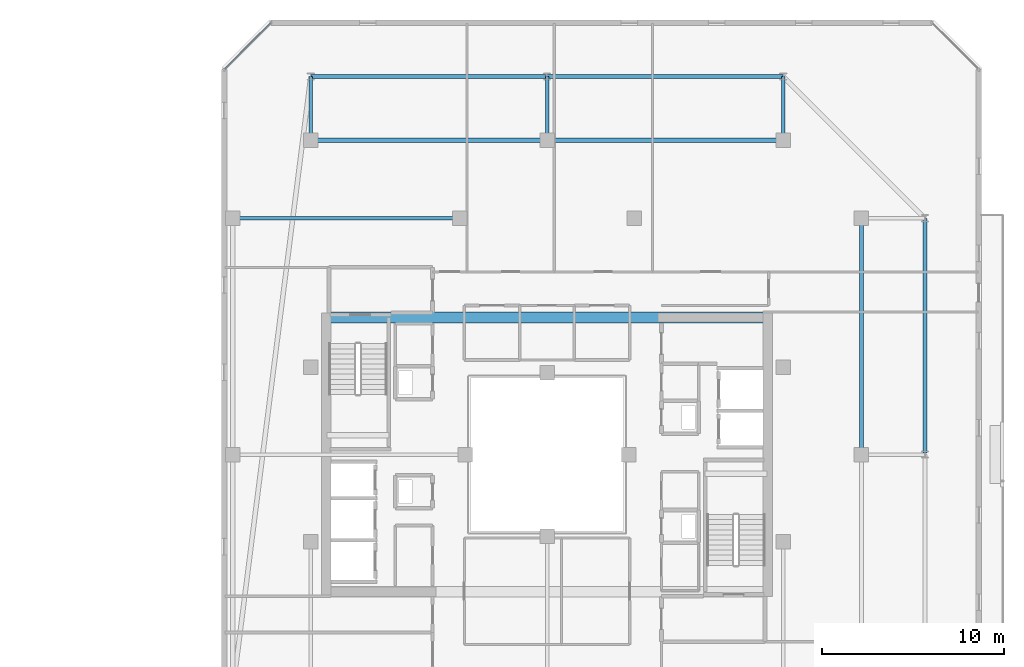
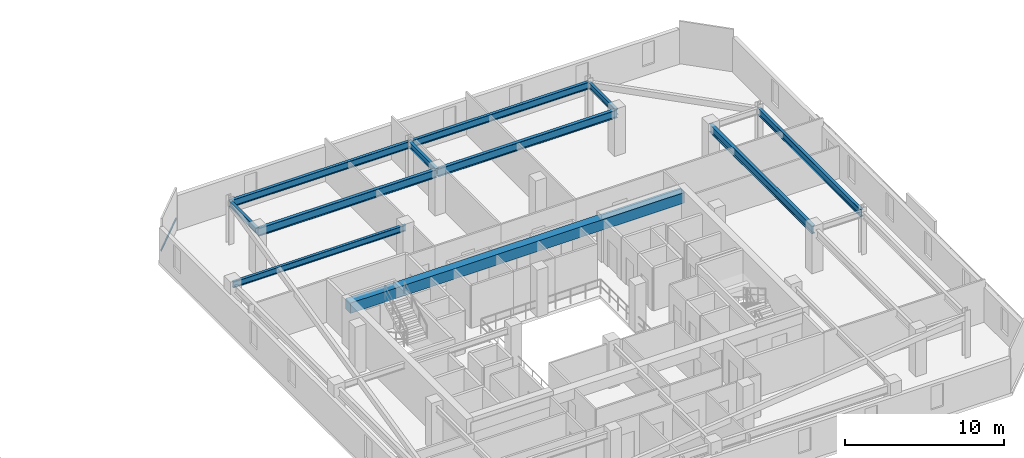
# One storey, part 17 of 35: 11 beams, 1 member, 1 element without a shape of its own.
"""IFC4 building model written with IfcOpenShell, lengths in metres."""

from ifc_helpers import new_model, si_unit, direction, frame, origin, origin_2d, place, context, subcontext, project, spatial, rectangle, hollow_rectangle, i_section, extrude, material, material_profile, profile_set, type_object, element, aggregate, save


model = new_model("IFC4")

# Units and contexts
model_context = context("Model", 3, precision=1e-05, world=origin(), true_north=direction((0.0, 1.0)))
body_context = subcontext(model_context, "Body", "Model", "MODEL_VIEW")
ifc_project = project(units=[si_unit("LENGTHUNIT", "METRE"), si_unit("AREAUNIT", "SQUARE_METRE"), si_unit("VOLUMEUNIT", "CUBIC_METRE"), si_unit("PLANEANGLEUNIT", "RADIAN"), si_unit("MASSUNIT", "GRAM", prefix="KILO")], contexts=[model_context])

# Site, building, storey
site_placement = place(None, origin())
site = spatial("IfcSite", under=ifc_project, at=site_placement, CompositionType="ELEMENT")
building_placement = place(site_placement, origin())
building = spatial("IfcBuilding", under=site, at=building_placement, Name="Thornwick Lancets Civic Towers", CompositionType="ELEMENT")
storey_placement = place(building_placement, frame((0.0, 0.0, 276.300048828125)))
storey = spatial("IfcBuildingStorey", under=building, at=storey_placement, Name="L74", CompositionType="ELEMENT", Elevation=276.300048828125)

# Beams
ifc_material_1 = material(Name="Concrete C60/75", Category="concrete")
ifc_material_profile_1 = material_profile(ifc_material_1, rectangle(XDim=0.60009765625, YDim=0.800048828125, at=origin_2d()), Name="RC 600x800")
ifc_profile_set_1 = profile_set([ifc_material_profile_1], Name="Concrete C60/75")
beam_type_1 = type_object("IfcBeamType", Name="BM_COUP_RC800", PredefinedType="BEAM", material=ifc_profile_set_1)
beam_1_placement = place(storey_placement, frame((76.39990234375, 34.550048828125, 2.8798828125), z_axis=(1.0, 0.0, 0.0), x_axis=(0.0, 1.0, 0.0)))
element("IfcBeam", 1, at=beam_1_placement, inside=storey, type_object=beam_type_1, Name="CB-L74-B1", PredefinedType="BEAM", context=body_context, shape_type="SweptSolid", body=[
    extrude(rectangle(XDim=0.60009765625, YDim=0.800048828125, at=origin_2d()), origin(), (0.0, 0.0, 1.0), 24.2001953125),
])
ifc_material_2 = material(Name="Steel S355JR", Category="steel")
ifc_material_profile_2 = material_profile(ifc_material_2, i_section(OverallWidth=0.210693359375, OverallDepth=0.53955078125, WebThickness=0.01171875, FlangeThickness=0.018798828125, FilletRadius=0.0126953125, at=origin_2d()), Name="UKB 533x210x109")
ifc_profile_set_2 = profile_set([ifc_material_profile_2], Name="Steel S355JR")
beam_type_2 = type_object("IfcBeamType", Name="BM_EDGE_533_109", PredefinedType="SPANDREL", material=ifc_profile_set_2)
beam_2_placement = place(storey_placement, frame((109.300048828125, 27.080078125, 3.01025390625), z_axis=(0.0, 1.0, 0.0), x_axis=(-1.0, 0.0, 0.0)))
element("IfcBeam", 2, at=beam_2_placement, inside=storey, type_object=beam_type_2, Name="BM-EDGE-L74-B-S0-2", PredefinedType="SPANDREL", context=body_context, shape_type="SweptSolid", body=[
    extrude(i_section(OverallWidth=0.210693359375, OverallDepth=0.53955078125, WebThickness=0.01171875, FlangeThickness=0.018798828125, FilletRadius=0.0126953125, at=origin_2d()), origin(), (0.0, 0.0, 1.0), 12.919921875),
])
beam_3_placement = place(storey_placement, frame((101.5, 47.800048828125, 3.01025390625), z_axis=(-1.0, 0.0, 0.0), x_axis=(0.0, -1.0, 0.0)))
element("IfcBeam", 3, at=beam_3_placement, inside=storey, type_object=beam_type_2, Name="BM-EDGE-L74-B-S1-1", PredefinedType="SPANDREL", context=body_context, shape_type="SweptSolid", body=[
    extrude(i_section(OverallWidth=0.210693359375, OverallDepth=0.53955078125, WebThickness=0.01171875, FlangeThickness=0.018798828125, FilletRadius=0.0126953125, at=origin_2d()), origin(), (0.0, 0.0, 1.0), 13.0),
])
beam_4_placement = place(storey_placement, frame((88.419921875, 47.800048828125, 3.01025390625), z_axis=(-1.0, 0.0, 0.0), x_axis=(0.0, -1.0, 0.0)))
element("IfcBeam", 4, at=beam_4_placement, inside=storey, type_object=beam_type_2, Name="BM-EDGE-L74-B-S1-2", PredefinedType="SPANDREL", context=body_context, shape_type="SweptSolid", body=[
    extrude(i_section(OverallWidth=0.210693359375, OverallDepth=0.53955078125, WebThickness=0.01171875, FlangeThickness=0.018798828125, FilletRadius=0.0126953125, at=origin_2d()), origin(), (0.0, 0.0, 1.0), 12.919921875),
])
ifc_material_profile_3 = material_profile(ifc_material_2, i_section(OverallWidth=0.230224609375, OverallDepth=0.6171875, WebThickness=0.01318359375, FlangeThickness=0.022216796875, FilletRadius=0.0126953125, at=origin_2d()), Name="UKB 610x229x140")
ifc_profile_set_3 = profile_set([ifc_material_profile_3], Name="Steel S355JR")
beam_type_3 = type_object("IfcBeamType", Name="BM_GIRD_610_140", PredefinedType="BEAM", material=ifc_profile_set_3)
beam_5_placement = place(storey_placement, frame((105.800048828125, 27.080078125, 2.971435546875), z_axis=(0.0, 1.0, 0.0), x_axis=(-1.0, 0.0, 0.0)))
element("IfcBeam", 5, at=beam_5_placement, inside=storey, type_object=beam_type_3, Name="BM-SPINE-L74-B-1-2", PredefinedType="BEAM", context=body_context, shape_type="SweptSolid", body=[
    extrude(i_section(OverallWidth=0.230224609375, OverallDepth=0.6171875, WebThickness=0.01318359375, FlangeThickness=0.022216796875, FilletRadius=0.0126953125, at=origin_2d()), origin(), (0.0, 0.0, 1.0), 12.919921875),
])
beam_6_placement = place(storey_placement, frame((101.5, 44.300048828125, 2.971435546875), z_axis=(-1.0, 0.0, 0.0), x_axis=(0.0, -1.0, 0.0)))
element("IfcBeam", 6, at=beam_6_placement, inside=storey, type_object=beam_type_3, Name="BM-SPINE-L74-B-3-4", PredefinedType="BEAM", context=body_context, shape_type="SweptSolid", body=[
    extrude(i_section(OverallWidth=0.230224609375, OverallDepth=0.6171875, WebThickness=0.01318359375, FlangeThickness=0.022216796875, FilletRadius=0.0126953125, at=origin_2d()), origin(), (0.0, 0.0, 1.0), 13.0),
])
beam_7_placement = place(storey_placement, frame((88.419921875, 44.300048828125, 2.971435546875), z_axis=(-1.0, 0.0, 0.0), x_axis=(0.0, -1.0, 0.0)))
element("IfcBeam", 7, at=beam_7_placement, inside=storey, type_object=beam_type_3, Name="BM-SPINE-L74-B-4-5", PredefinedType="BEAM", context=body_context, shape_type="SweptSolid", body=[
    extrude(i_section(OverallWidth=0.230224609375, OverallDepth=0.6171875, WebThickness=0.01318359375, FlangeThickness=0.022216796875, FilletRadius=0.0126953125, at=origin_2d()), origin(), (0.0, 0.0, 1.0), 12.919921875),
])
ifc_material_profile_4 = material_profile(ifc_material_2, i_section(OverallWidth=0.19189453125, OverallDepth=0.46337890625, WebThickness=0.010498046875, FlangeThickness=0.017578125, FilletRadius=0.01025390625, at=origin_2d()), Name="UKB 457x191x89")
ifc_profile_set_4 = profile_set([ifc_material_profile_4], Name="Steel S355JR")
beam_type_4 = type_object("IfcBeamType", Name="BM_JOIST_457_89", PredefinedType="JOIST", material=ifc_profile_set_4)
for number, where, z_axis, x_axis, name in (
    (8, (101.5, 44.300048828125, 3.04833984375), (0.0, 1.0, 0.0), (-1.0, 0.0, 0.0), "BM-RAD-L74-B04"),
    (9, (88.5, 44.300048828125, 3.04833984375), (0.0, 1.0, 0.0), (-1.0, 0.0, 0.0), "BM-RAD-L74-B05"),
    (10, (75.5, 44.300048828125, 3.04833984375), (0.0, 1.0, 0.0), (-1.0, 0.0, 0.0), "BM-RAD-L74-B06"),
):
    element("IfcBeam", number, at=place(storey_placement, frame(where, z_axis=z_axis, x_axis=x_axis)), inside=storey, type_object=beam_type_4, Name=name, PredefinedType="JOIST", context=body_context, shape_type="SweptSolid", body=[
        extrude(i_section(OverallWidth=0.19189453125, OverallDepth=0.46337890625, WebThickness=0.010498046875, FlangeThickness=0.017578125, FilletRadius=0.01025390625, at=origin_2d()), origin(), (0.0, 0.0, 1.0), 3.5),
    ])
beam_8_placement = place(storey_placement, frame((83.699951171875, 40.0, 3.04833984375), z_axis=(-1.0, 0.0, 0.0), x_axis=(0.0, -1.0, 0.0)))
element("IfcBeam", 11, at=beam_8_placement, inside=storey, type_object=beam_type_4, Name="BM-RADIN-L74-B09", PredefinedType="JOIST", context=body_context, shape_type="SweptSolid", body=[
    extrude(i_section(OverallWidth=0.19189453125, OverallDepth=0.46337890625, WebThickness=0.010498046875, FlangeThickness=0.017578125, FilletRadius=0.01025390625, at=origin_2d()), origin(), (0.0, 0.0, 1.0), 12.5),
])

# Curtain wall, member
ifc_material_3 = material(Name="High-zone chamfered-corner unitised glass curtain wall", Category="glass")
curtain_wall_type = type_object("IfcCurtainWallType", Name="CW_SYS_05", PredefinedType="NOTDEFINED", material=ifc_material_3)
curtain_wall_placement = place(storey_placement, origin())
curtain_wall = element("IfcCurtainWall", 12, at=curtain_wall_placement, inside=storey, type_object=curtain_wall_type, Name="L74 Curtain Wall CW-L74-B-E5", PredefinedType="NOTDEFINED")
ifc_material_4 = material(Name="Thermally broken bronze aluminium S355", Category="steel")
ifc_material_profile_5 = material_profile(ifc_material_4, hollow_rectangle(XDim=0.074951171875, YDim=0.14990234375, WallThickness=0.0048828125, at=origin_2d()), Name="RHS 150x75x5")
ifc_profile_set_5 = profile_set([ifc_material_profile_5], Name="Thermally broken bronze aluminium S355")
member_type = type_object("IfcMemberType", Name="CW_TRN_150", PredefinedType="USERDEFINED", material=ifc_profile_set_5)
member_placement = place(storey_placement, frame((73.304443359375, 50.75048828125, 0.849853515625), z_axis=(-0.707106781187, -0.707106781187, 0.0), x_axis=(0.707106781187, -0.707106781187, 0.0)))
member = element("IfcMember", 13, at=member_placement, type_object=member_type, Name="CW-L74-B-E5 Transom 0", ObjectType="TRANSOM", PredefinedType="USERDEFINED", context=body_context, shape_type="SweptSolid", body=[
    extrude(hollow_rectangle(XDim=0.074951171875, YDim=0.14990234375, WallThickness=0.0048828125, at=origin_2d()), origin(), (0.0, 0.0, 1.0), 3.61328125),
])
aggregate(curtain_wall, [member])

save(model, "model.ifc")
